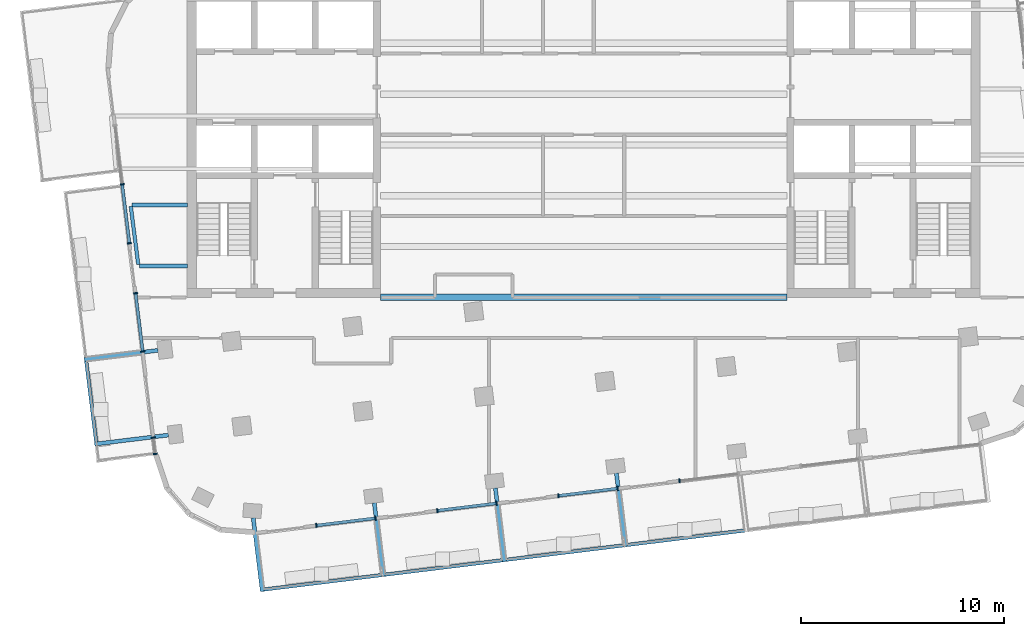
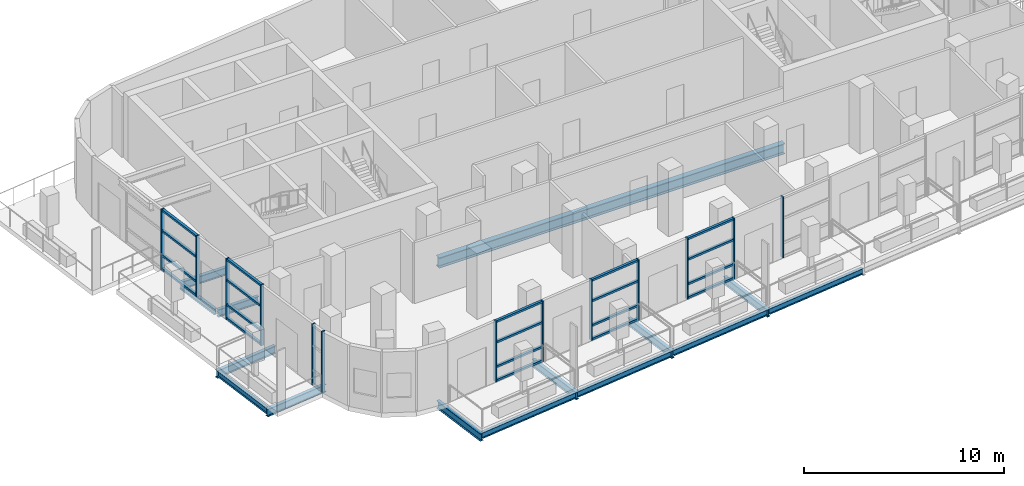
# One storey, part 2 of 14: 33 members, 15 beams, 7 elements without a shape of their own.
"""IFC4 building model written with IfcOpenShell, lengths in metres."""

import ifcopenshell
import ifcopenshell.guid

model = None  # the IFC model being written
_history = None  # IfcOwnerHistory: only IFC2X3 demands one
_inside = {}  # id of a spatial element -> (the spatial element, [elements in it])
_under = {}  # id of a project, library or spatial element -> (it, [spatial elements below it])
_declared = {}  # id of a project -> (the project, [libraries it declares])
_typed = {}  # id of a type object -> (the type object, [elements of that type])
_made_of = {}  # id of a material, layer set ... -> (it, [elements and type objects made of it])


def new_model(schema):
    """Start an empty IFC model of exactly this schema.

    Asked for "IFC4X3", IfcOpenShell would pick the latest addendum, in which some entities
    have other attributes; the version numbers below select the first issue.
    IFC2X3 requires an IfcOwnerHistory on every rooted entity: one is made here for all.
    """
    global model, _history
    if schema == "IFC4X3":
        model = ifcopenshell.file(schema_version=(4, 3, 0, 0))
    else:
        model = ifcopenshell.file(schema=schema)
    _inside.clear()
    _under.clear()
    _declared.clear()
    _typed.clear()
    _made_of.clear()
    _history = None
    if model.schema == "IFC2X3":
        org = make("IfcOrganization", Name="unknown")
        user = make(
            "IfcPersonAndOrganization",
            ThePerson=make("IfcPerson", FamilyName="unknown"),
            TheOrganization=org,
        )
        app = make(
            "IfcApplication",
            ApplicationDeveloper=org,
            Version="unknown",
            ApplicationFullName="unknown",
            ApplicationIdentifier="unknown",
        )
        _history = make(
            "IfcOwnerHistory",
            OwningUser=user,
            OwningApplication=app,
            ChangeAction="ADDED",
            CreationDate=0,
        )
    return model


def make(cls, **values):
    """One entity of the class cls with the attributes given. An attribute that is None is left unset."""
    return model.create_entity(
        cls, **{name: value for name, value in values.items() if value is not None}
    )


def rooted(cls, **values):
    """An entity with a GlobalId (a new one), such as an element, a storey or a relation."""
    return make(cls, GlobalId=ifcopenshell.guid.new(), OwnerHistory=_history, **values)


def si_unit(unit_type, name, prefix=None):
    """IfcSIUnit, for example si_unit("LENGTHUNIT", "METRE", prefix="MILLI")."""
    return make("IfcSIUnit", UnitType=unit_type, Prefix=prefix, Name=name)


def assignment(units):
    """IfcUnitAssignment: the units of a project."""
    return None if units is None else make("IfcUnitAssignment", Units=units)


def point(xyz):
    """IfcCartesianPoint."""
    return None if xyz is None else make("IfcCartesianPoint", Coordinates=xyz)


def direction(xyz):
    """IfcDirection."""
    return None if xyz is None else make("IfcDirection", DirectionRatios=xyz)


def frame(location, z_axis=None, x_axis=None):
    """IfcAxis2Placement3D, a coordinate frame: its origin and axes. An axis left out is left unset."""
    return make(
        "IfcAxis2Placement3D",
        Location=point(location),
        Axis=direction(z_axis),
        RefDirection=direction(x_axis),
    )


def frame_2d(location, x_axis=None):
    """IfcAxis2Placement2D, a coordinate frame in the plane: its origin and x axis."""
    return make(
        "IfcAxis2Placement2D", Location=point(location), RefDirection=direction(x_axis)
    )


def origin():
    """The frame at (0, 0, 0) with its axes left unset."""
    return frame((0.0, 0.0, 0.0))


def origin_2d():
    """The frame at (0, 0) in the plane with its x axis left unset."""
    return frame_2d((0.0, 0.0))


def place(relative_to, where):
    """IfcLocalPlacement: puts the frame where relative to a parent placement (None: the world)."""
    return make(
        "IfcLocalPlacement", PlacementRelTo=relative_to, RelativePlacement=where
    )


def context(
    kind, dimensions, precision=None, world=None, true_north=None, identifier=None
):
    """IfcGeometricRepresentationContext, for example the 3D "Model" context."""
    return make(
        "IfcGeometricRepresentationContext",
        ContextIdentifier=identifier,
        ContextType=kind,
        CoordinateSpaceDimension=dimensions,
        Precision=precision,
        WorldCoordinateSystem=world,
        TrueNorth=true_north,
    )


def subcontext(parent, identifier, kind, view, scale=None):
    """IfcGeometricRepresentationSubContext, for example "Body" below "Model"."""
    return make(
        "IfcGeometricRepresentationSubContext",
        ContextIdentifier=identifier,
        ContextType=kind,
        ParentContext=parent,
        TargetScale=scale,
        TargetView=view,
    )


def project(units=None, contexts=None):
    """IfcProject with its units and contexts."""
    return rooted(
        "IfcProject",
        Name="project",
        RepresentationContexts=contexts,
        UnitsInContext=assignment(units),
    )


def spatial(cls, under=None, at=None, **own):
    """A site, building, storey or space (cls), placed at a placement, below another one or the project."""
    s = rooted(cls, ObjectPlacement=at, **own)
    if under is not None:
        _under.setdefault(under.id(), (under, []))[1].append(s)
    return s


def profile(cls, at=None, kind="AREA", **sizes):
    """A parametric profile (cls). Its sizes go by their IFC names, for example OverallWidth=200.0."""
    return make(cls, ProfileType=kind, Position=at, **sizes)


def rectangle(**sizes):
    """IfcRectangleProfileDef."""
    return profile("IfcRectangleProfileDef", **sizes)


def i_section(**sizes):
    """IfcIShapeProfileDef."""
    return profile("IfcIShapeProfileDef", **sizes)


def extrude(swept, where, along, depth):
    """IfcExtrudedAreaSolid: the profile swept, set in the frame where, extruded along a direction by depth."""
    return make(
        "IfcExtrudedAreaSolid",
        SweptArea=swept,
        Position=where,
        ExtrudedDirection=direction(along),
        Depth=depth,
    )


def shape(context_of_items, identifier, shape_type, items):
    """IfcShapeRepresentation: the items that make up one representation, for example the "Body"."""
    return make(
        "IfcShapeRepresentation",
        ContextOfItems=context_of_items,
        RepresentationIdentifier=identifier,
        RepresentationType=shape_type,
        Items=items,
    )


def material(Name=None, Category=None):
    """IfcMaterial."""
    return make("IfcMaterial", Name=Name, Category=Category)


def layer(
    of_material, thickness, ventilated=None, Name=None, Category=None, Priority=None
):
    """IfcMaterialLayer: one layer of a wall or slab, of a material (None: an air gap)."""
    return make(
        "IfcMaterialLayer",
        Material=of_material,
        LayerThickness=thickness,
        IsVentilated=ventilated,
        Name=Name,
        Category=Category,
        Priority=Priority,
    )


def layer_set(layers, Name=None):
    """IfcMaterialLayerSet."""
    return make("IfcMaterialLayerSet", MaterialLayers=layers, LayerSetName=Name)


def material_profile(
    of_material, cross_section, Name=None, Category=None, Priority=None
):
    """IfcMaterialProfile: a cross section and its material."""
    return make(
        "IfcMaterialProfile",
        Name=Name,
        Material=of_material,
        Profile=cross_section,
        Priority=Priority,
        Category=Category,
    )


def profile_set(profiles, Name=None, composite=None):
    """IfcMaterialProfileSet."""
    return make(
        "IfcMaterialProfileSet",
        Name=Name,
        MaterialProfiles=profiles,
        CompositeProfile=composite,
    )


def made_of(thing, what):
    """Note that an element or type object is made of a material, layer set ...; save() writes the relation."""
    if what is not None:
        _made_of.setdefault(what.id(), (what, []))[1].append(thing)
    return thing


def type_object(cls, material=None, **own):
    """A type object (cls), such as IfcWallType, which elements share."""
    return made_of(rooted(cls, **own), material)


def element(
    cls,
    number,
    at=None,
    inside=None,
    cuts=None,
    type_object=None,
    material=None,
    context=None,
    identifier="Body",
    shape_type=None,
    held_by="IfcProductDefinitionShape",
    body=None,
    shapes=None,
    **own,
):
    """One element of the class cls, such as IfcWall. Its Tag is "e" and its number.

    at: its placement. inside: the storey or other place that contains it. cuts: it is an
    opening in that element (IfcRelVoidsElement). A single representation is given by context,
    identifier, shape_type and body (its items); several are given by shapes. held_by: the class
    of the entity that holds the representations. save() writes the other relations.
    """
    e = rooted(cls, Tag="e%d" % number, ObjectPlacement=at, **own)
    if body is not None:
        shapes = [shape(context, identifier, shape_type, body)]
    if shapes is not None:
        e.Representation = make(held_by, Representations=shapes)
    if inside is not None:
        _inside.setdefault(inside.id(), (inside, []))[1].append(e)
    if cuts is not None:
        rooted(
            "IfcRelVoidsElement", RelatingBuildingElement=cuts, RelatedOpeningElement=e
        )
    if type_object is not None:
        _typed.setdefault(type_object.id(), (type_object, []))[1].append(e)
    return made_of(e, material)


def aggregate(whole, parts):
    """IfcRelAggregates: a whole, such as a stair, and the parts it consists of."""
    return rooted("IfcRelAggregates", RelatingObject=whole, RelatedObjects=parts)


def save(model, path):
    """Write the relations noted so far, then the file.

    IfcRelAggregates (storeys below a building ...), IfcRelContainedInSpatialStructure (elements
    in a storey), IfcRelDefinesByType, IfcRelAssociatesMaterial and IfcRelDeclares: one each for
    every whole, place, type object, material and project.
    """
    for whole, parts in _under.values():
        aggregate(whole, parts)
    for where, things in _inside.values():
        rooted(
            "IfcRelContainedInSpatialStructure",
            RelatedElements=things,
            RelatingStructure=where,
        )
    for kind, things in _typed.values():
        rooted("IfcRelDefinesByType", RelatedObjects=things, RelatingType=kind)
    for what, things in _made_of.values():
        rooted("IfcRelAssociatesMaterial", RelatedObjects=things, RelatingMaterial=what)
    for by, libraries in _declared.values():
        rooted("IfcRelDeclares", RelatingContext=by, RelatedDefinitions=libraries)
    model.write(path)


model = new_model("IFC4")

# Units and contexts
model_context = context("Model", 3, precision=1e-05, world=origin(), true_north=direction((0.0, 1.0)))
body_context = subcontext(model_context, "Body", "Model", "MODEL_VIEW")
ifc_project = project(units=[si_unit("LENGTHUNIT", "METRE"), si_unit("AREAUNIT", "SQUARE_METRE"), si_unit("VOLUMEUNIT", "CUBIC_METRE"), si_unit("PLANEANGLEUNIT", "RADIAN"), si_unit("MASSUNIT", "GRAM", prefix="KILO")], contexts=[model_context])

# Site, building, storey
site_placement = place(None, origin())
site = spatial("IfcSite", under=ifc_project, at=site_placement, CompositionType="ELEMENT")
building_placement = place(site_placement, origin())
building = spatial("IfcBuilding", under=site, at=building_placement, Name="Torana Hotel and Residences", CompositionType="ELEMENT")
storey_placement = place(building_placement, frame((0.0, 0.0, 318.60009765625)))
storey = spatial("IfcBuildingStorey", under=building, at=storey_placement, Name="L84", CompositionType="ELEMENT", Elevation=318.60009765625)

# Beams
ifc_material_1 = material(Name="Steel S355", Category="steel")
ifc_material_profile_1 = material_profile(ifc_material_1, i_section(OverallWidth=0.19287109375, OverallDepth=0.46728515625, WebThickness=0.011474609375, FlangeThickness=0.01953125, FilletRadius=0.01025390625, at=origin_2d()), Name="457x191x98 UB")
ifc_profile_set_1 = profile_set([ifc_material_profile_1], Name="Steel S355")
beam_type_1 = type_object("IfcBeamType", Name="BALCONY CANTILEVER BEAM 457x191x98 UB", PredefinedType="BEAM", material=ifc_profile_set_1)
beam_1_placement = place(storey_placement, frame((-16.251708984375, -25.84130859375, -0.513671875), z_axis=(0.12194557952, -0.992536788051, 0.0), x_axis=(0.992536788051, 0.12194557952, 0.0)))
element("IfcBeam", 1, at=beam_1_placement, inside=storey, type_object=beam_type_1, Name="Balcony cantilever beam", PredefinedType="BEAM", context=body_context, shape_type="SweptSolid", body=[
    extrude(i_section(OverallWidth=0.19287109375, OverallDepth=0.46728515625, WebThickness=0.011474609375, FlangeThickness=0.01953125, FilletRadius=0.01025390625, at=origin_2d()), origin(), (0.0, 0.0, 1.0), 3.65380859375),
])
beam_2_placement = place(storey_placement, frame((-10.296630859375, -25.103515625, -0.513671875), z_axis=(0.121727603609, -0.992563544827, 0.0), x_axis=(0.992563544827, 0.121727603609, 0.0)))
element("IfcBeam", 2, at=beam_2_placement, inside=storey, type_object=beam_type_1, Name="Balcony cantilever beam", PredefinedType="BEAM", context=body_context, shape_type="SweptSolid", body=[
    extrude(i_section(OverallWidth=0.19287109375, OverallDepth=0.46728515625, WebThickness=0.011474609375, FlangeThickness=0.01953125, FilletRadius=0.01025390625, at=origin_2d()), origin(), (0.0, 0.0, 1.0), 3.66015625),
])
beam_3_placement = place(storey_placement, frame((-4.341552734375, -24.37255859375, -0.513671875), z_axis=(0.121809442808, -0.992553504675, 0.0), x_axis=(0.992553504675, 0.121809442808, 0.0)))
element("IfcBeam", 3, at=beam_3_placement, inside=storey, type_object=beam_type_1, Name="Balcony cantilever beam", PredefinedType="BEAM", context=body_context, shape_type="SweptSolid", body=[
    extrude(i_section(OverallWidth=0.19287109375, OverallDepth=0.46728515625, WebThickness=0.011474609375, FlangeThickness=0.01953125, FilletRadius=0.01025390625, at=origin_2d()), origin(), (0.0, 0.0, 1.0), 3.659912109375),
])
beam_4_placement = place(storey_placement, frame((1.61328125, -23.6416015625, -0.513671875), z_axis=(0.121948950891, -0.99253637383, 0.0), x_axis=(0.99253637383, 0.121948950891, 0.0)))
element("IfcBeam", 4, at=beam_4_placement, inside=storey, type_object=beam_type_1, Name="Balcony cantilever beam", PredefinedType="BEAM", context=body_context, shape_type="SweptSolid", body=[
    extrude(i_section(OverallWidth=0.19287109375, OverallDepth=0.46728515625, WebThickness=0.011474609375, FlangeThickness=0.01953125, FilletRadius=0.01025390625, at=origin_2d()), origin(), (0.0, 0.0, 1.0), 3.65966796875),
])
for number, where, z_axis, x_axis, name in (
    (5, (-20.930419921875, -17.603515625, -0.513671875), (-0.992537365838, -0.121940876722, 0.0), (0.121940876722, -0.992537365838, 0.0), "Balcony cantilever beam"),
    (6, (-20.41845703125, -21.7724609375, -0.513671875), (-0.992545437366, -0.121875160566, 0.0), (0.121875160566, -0.992545437366, 0.0), "Balcony cantilever beam"),
):
    element("IfcBeam", number, at=place(storey_placement, frame(where, z_axis=z_axis, x_axis=x_axis)), inside=storey, type_object=beam_type_1, Name=name, PredefinedType="BEAM", context=body_context, shape_type="SweptSolid", body=[
        extrude(i_section(OverallWidth=0.19287109375, OverallDepth=0.46728515625, WebThickness=0.011474609375, FlangeThickness=0.01953125, FilletRadius=0.01025390625, at=origin_2d()), origin(), (0.0, 0.0, 1.0), 3.659912109375),
    ])
beam_5_placement = place(storey_placement, frame((-19.489990234375, -13.449951171875, -0.513671875), z_axis=(-1.0, 0.0, 0.0), x_axis=(0.0, -1.0, 0.0)))
element("IfcBeam", 7, at=beam_5_placement, inside=storey, type_object=beam_type_1, Name="Balcony cantilever beam", PredefinedType="BEAM", context=body_context, shape_type="SweptSolid", body=[
    extrude(i_section(OverallWidth=0.19287109375, OverallDepth=0.46728515625, WebThickness=0.011474609375, FlangeThickness=0.01953125, FilletRadius=0.01025390625, at=origin_2d()), origin(), (0.0, 0.0, 1.0), 2.360107421875),
])
beam_6_placement = place(storey_placement, frame((-19.489990234375, -10.449951171875, -0.513671875), z_axis=(-1.0, 0.0, 0.0), x_axis=(0.0, -1.0, 0.0)))
element("IfcBeam", 8, at=beam_6_placement, inside=storey, type_object=beam_type_1, Name="Balcony cantilever beam", PredefinedType="BEAM", context=body_context, shape_type="SweptSolid", body=[
    extrude(i_section(OverallWidth=0.19287109375, OverallDepth=0.46728515625, WebThickness=0.011474609375, FlangeThickness=0.01953125, FilletRadius=0.01025390625, at=origin_2d()), origin(), (0.0, 0.0, 1.0), 2.728515625),
])
ifc_material_2 = material(Name="Steel S355", Category="steel")
ifc_material_profile_2 = material_profile(ifc_material_2, i_section(OverallWidth=0.173095703125, OverallDepth=0.36328125, WebThickness=0.009033203125, FlangeThickness=0.015625, FilletRadius=0.01025390625, at=origin_2d()), Name="356x171x67 UB")
ifc_profile_set_2 = profile_set([ifc_material_profile_2], Name="Steel S355")
beam_type_2 = type_object("IfcBeamType", Name="BALCONY TIP BEAM 356x171x67 UB", PredefinedType="BEAM", material=ifc_profile_set_2)
for number, where, z_axis, x_axis, name in (
    (9, (-9.927490234375, -28.65869140625, -0.4619140625), (-0.992545044936, -0.121878356459, 0.0), (0.121878356459, -0.992545044936, 0.0), "Balcony tip beam"),
    (10, (-3.97216796875, -27.92724609375, -0.4619140625), (-0.992540010453, -0.121919348955, 0.0), (0.121919348955, -0.992540010453, 0.0), "Balcony tip beam"),
    (11, (1.983154296875, -27.196044921875, -0.4619140625), (-0.992545044936, -0.121878356459, 0.0), (0.121878356459, -0.992545044936, 0.0), "Balcony tip beam"),
    (12, (7.9384765625, -26.46484375, -0.4619140625), (-0.992545044936, -0.121878356459, 0.0), (0.121878356459, -0.992545044936, 0.0), "Balcony tip beam"),
):
    element("IfcBeam", number, at=place(storey_placement, frame(where, z_axis=z_axis, x_axis=x_axis)), inside=storey, type_object=beam_type_2, Name=name, PredefinedType="BEAM", context=body_context, shape_type="SweptSolid", body=[
        extrude(i_section(OverallWidth=0.173095703125, OverallDepth=0.36328125, WebThickness=0.009033203125, FlangeThickness=0.015625, FilletRadius=0.01025390625, at=origin_2d()), origin(), (0.0, 0.0, 1.0), 5.8671875),
    ])
beam_7_placement = place(storey_placement, frame((-23.97314453125, -22.14208984375, -0.4619140625), z_axis=(-0.121906862374, 0.992541544171, 0.0), x_axis=(-0.992541544171, -0.121906862374, 0.0)))
element("IfcBeam", 13, at=beam_7_placement, inside=storey, type_object=beam_type_2, Name="Balcony tip beam", PredefinedType="BEAM", context=body_context, shape_type="SweptSolid", body=[
    extrude(i_section(OverallWidth=0.173095703125, OverallDepth=0.36328125, WebThickness=0.009033203125, FlangeThickness=0.015625, FilletRadius=0.01025390625, at=origin_2d()), origin(), (0.0, 0.0, 1.0), 4.0673828125),
])
beam_8_placement = place(storey_placement, frame((-21.90673828125, -13.383544921875, -0.4619140625), z_axis=(-0.127443407553, 0.991845843804, 0.0), x_axis=(-0.991845843804, -0.127443407553, 0.0)))
element("IfcBeam", 14, at=beam_8_placement, inside=storey, type_object=beam_type_2, Name="Balcony tip beam", PredefinedType="BEAM", context=body_context, shape_type="SweptSolid", body=[
    extrude(i_section(OverallWidth=0.173095703125, OverallDepth=0.36328125, WebThickness=0.009033203125, FlangeThickness=0.015625, FilletRadius=0.01025390625, at=origin_2d()), origin(), (0.0, 0.0, 1.0), 2.890869140625),
])

# Curtain wall, members
ifc_material_3 = material(Name="Dark anodised aluminium", Category="aluminium")
ifc_layer = layer(ifc_material_3, 0.199951171875)
ifc_layer_set = layer_set([ifc_layer], Name="CW3 SKY CLUB UNITISED CURTAIN WALL")
curtain_wall_type = type_object("IfcCurtainWallType", Name="CW3 SKY CLUB UNITISED CURTAIN WALL", PredefinedType="NOTDEFINED", material=ifc_layer_set)
curtain_wall_1_placement = place(storey_placement, origin())
curtain_wall_1 = element("IfcCurtainWall", 15, at=curtain_wall_1_placement, inside=storey, type_object=curtain_wall_type, Name="Curtain wall CW3 L84 e0.9-2", PredefinedType="NOTDEFINED")
ifc_material_4 = material(Name="Dark anodised aluminium", Category="aluminium")
ifc_material_profile_3 = material_profile(ifc_material_4, rectangle(XDim=0.199951171875, YDim=0.070068359375, at=origin_2d()), Name="CW3 MULLION 70x200")
ifc_profile_set_3 = profile_set([ifc_material_profile_3], Name="Dark anodised aluminium")
member_type_1 = type_object("IfcMemberType", Name="CW3 MULLION 70x200", PredefinedType="MULLION", material=ifc_profile_set_3)
member_1_placement = place(storey_placement, frame((-22.69873046875, -9.43701171875, 0.0), z_axis=(0.0, 0.0, 1.0), x_axis=(0.992545392029, 0.121875529794, 0.0)))
member_1 = element("IfcMember", 16, at=member_1_placement, type_object=member_type_1, Name="CW3 mullion 2", PredefinedType="MULLION", context=body_context, shape_type="SweptSolid", body=[
    extrude(rectangle(XDim=0.199951171875, YDim=0.070068359375, at=origin_2d()), origin(), (0.0, 0.0, 1.0), 3.719970703125),
])
member_2_placement = place(storey_placement, frame((-22.34228515625, -12.339111328125, 0.0), z_axis=(0.0, 0.0, 1.0), x_axis=(0.992545392029, 0.121875529794, 0.0)))
member_2 = element("IfcMember", 17, at=member_2_placement, type_object=member_type_1, Name="CW3 mullion 3", PredefinedType="MULLION", context=body_context, shape_type="SweptSolid", body=[
    extrude(rectangle(XDim=0.199951171875, YDim=0.070068359375, at=origin_2d()), origin(), (0.0, 0.0, 1.0), 3.719970703125),
])

curtain_wall_2_placement = place(storey_placement, origin())
curtain_wall_2 = element("IfcCurtainWall", 18, at=curtain_wall_2_placement, inside=storey, type_object=curtain_wall_type, Name="Curtain wall CW3 L84 e0.9-4", PredefinedType="NOTDEFINED")
member_3_placement = place(storey_placement, frame((-22.041259765625, -14.79052734375, 0.0), z_axis=(0.0, 0.0, 1.0), x_axis=(0.992547610171, 0.121857464048, 0.0)))
member_3 = element("IfcMember", 19, at=member_3_placement, type_object=member_type_1, Name="CW3 mullion 1", PredefinedType="MULLION", context=body_context, shape_type="SweptSolid", body=[
    extrude(rectangle(XDim=0.199951171875, YDim=0.070068359375, at=origin_2d()), origin(), (0.0, 0.0, 1.0), 3.719970703125),
])
member_4_placement = place(storey_placement, frame((-21.68896484375, -17.66162109375, 0.0), z_axis=(0.0, 0.0, 1.0), x_axis=(0.992547610171, 0.121857464048, 0.0)))
member_4 = element("IfcMember", 20, at=member_4_placement, type_object=member_type_1, Name="CW3 mullion 2", PredefinedType="MULLION", context=body_context, shape_type="SweptSolid", body=[
    extrude(rectangle(XDim=0.199951171875, YDim=0.070068359375, at=origin_2d()), origin(), (0.0, 0.0, 1.0), 3.719970703125),
])

curtain_wall_3_placement = place(storey_placement, origin())
curtain_wall_3 = element("IfcCurtainWall", 21, at=curtain_wall_3_placement, inside=storey, type_object=curtain_wall_type, Name="Curtain wall CW3 L84 e0.9-6", PredefinedType="NOTDEFINED")
member_5_placement = place(storey_placement, frame((-21.16845703125, -21.899658203125, 0.0), z_axis=(0.0, 0.0, 1.0), x_axis=(0.992544425058, 0.121883404477, 0.0)))
member_5 = element("IfcMember", 22, at=member_5_placement, type_object=member_type_1, Name="CW3 mullion 1", PredefinedType="MULLION", context=body_context, shape_type="SweptSolid", body=[
    extrude(rectangle(XDim=0.199951171875, YDim=0.070068359375, at=origin_2d()), origin(), (0.0, 0.0, 1.0), 3.719970703125),
])
member_6_placement = place(storey_placement, frame((-21.0703125, -22.69921875, 0.0), z_axis=(0.0, 0.0, 1.0), x_axis=(0.992544425058, 0.121883404477, 0.0)))
member_6 = element("IfcMember", 23, at=member_6_placement, type_object=member_type_1, Name="CW3 mullion 2", PredefinedType="MULLION", context=body_context, shape_type="SweptSolid", body=[
    extrude(rectangle(XDim=0.199951171875, YDim=0.070068359375, at=origin_2d()), origin(), (0.0, 0.0, 1.0), 3.719970703125),
])
aggregate(curtain_wall_3, [member_5, member_6])

curtain_wall_4_placement = place(storey_placement, origin())
curtain_wall_4 = element("IfcCurtainWall", 24, at=curtain_wall_4_placement, inside=storey, type_object=curtain_wall_type, Name="Curtain wall CW3 L84 e0.14-2", PredefinedType="NOTDEFINED")
member_7_placement = place(storey_placement, frame((-13.147216796875, -26.21923828125, 0.0), z_axis=(0.0, 0.0, 1.0), x_axis=(-0.121868256929, 0.992546285043, 0.0)))
member_7 = element("IfcMember", 25, at=member_7_placement, type_object=member_type_1, Name="CW3 mullion 1", PredefinedType="MULLION", context=body_context, shape_type="SweptSolid", body=[
    extrude(rectangle(XDim=0.199951171875, YDim=0.070068359375, at=origin_2d()), origin(), (0.0, 0.0, 1.0), 3.719970703125),
])
member_8_placement = place(storey_placement, frame((-10.2392578125, -25.8623046875, 0.0), z_axis=(0.0, 0.0, 1.0), x_axis=(-0.121868256929, 0.992546285043, 0.0)))
member_8 = element("IfcMember", 26, at=member_8_placement, type_object=member_type_1, Name="CW3 mullion 2", PredefinedType="MULLION", context=body_context, shape_type="SweptSolid", body=[
    extrude(rectangle(XDim=0.199951171875, YDim=0.070068359375, at=origin_2d()), origin(), (0.0, 0.0, 1.0), 3.719970703125),
])

curtain_wall_5_placement = place(storey_placement, origin())
curtain_wall_5 = element("IfcCurtainWall", 27, at=curtain_wall_5_placement, inside=storey, type_object=curtain_wall_type, Name="Curtain wall CW3 L84 e0.14-4", PredefinedType="NOTDEFINED")
member_9_placement = place(storey_placement, frame((-7.192138671875, -25.488037109375, 0.0), z_axis=(0.0, 0.0, 1.0), x_axis=(-0.121864225005, 0.992546780088, 0.0)))
member_9 = element("IfcMember", 28, at=member_9_placement, type_object=member_type_1, Name="CW3 mullion 1", PredefinedType="MULLION", context=body_context, shape_type="SweptSolid", body=[
    extrude(rectangle(XDim=0.199951171875, YDim=0.070068359375, at=origin_2d()), origin(), (0.0, 0.0, 1.0), 3.719970703125),
])
member_10_placement = place(storey_placement, frame((-4.283935546875, -25.131103515625, 0.0), z_axis=(0.0, 0.0, 1.0), x_axis=(-0.121864225005, 0.992546780088, 0.0)))
member_10 = element("IfcMember", 29, at=member_10_placement, type_object=member_type_1, Name="CW3 mullion 2", PredefinedType="MULLION", context=body_context, shape_type="SweptSolid", body=[
    extrude(rectangle(XDim=0.199951171875, YDim=0.070068359375, at=origin_2d()), origin(), (0.0, 0.0, 1.0), 3.719970703125),
])

curtain_wall_6_placement = place(storey_placement, origin())
curtain_wall_6 = element("IfcCurtainWall", 30, at=curtain_wall_6_placement, inside=storey, type_object=curtain_wall_type, Name="Curtain wall CW3 L84 e0.14-6", PredefinedType="NOTDEFINED")
member_11_placement = place(storey_placement, frame((-1.23681640625, -24.7568359375, 0.0), z_axis=(0.0, 0.0, 1.0), x_axis=(-0.121864225005, 0.992546780088, 0.0)))
member_11 = element("IfcMember", 31, at=member_11_placement, type_object=member_type_1, Name="CW3 mullion 1", PredefinedType="MULLION", context=body_context, shape_type="SweptSolid", body=[
    extrude(rectangle(XDim=0.199951171875, YDim=0.070068359375, at=origin_2d()), origin(), (0.0, 0.0, 1.0), 3.719970703125),
])
member_12_placement = place(storey_placement, frame((1.67138671875, -24.39990234375, 0.0), z_axis=(0.0, 0.0, 1.0), x_axis=(-0.121864225005, 0.992546780088, 0.0)))
member_12 = element("IfcMember", 32, at=member_12_placement, type_object=member_type_1, Name="CW3 mullion 2", PredefinedType="MULLION", context=body_context, shape_type="SweptSolid", body=[
    extrude(rectangle(XDim=0.199951171875, YDim=0.070068359375, at=origin_2d()), origin(), (0.0, 0.0, 1.0), 3.719970703125),
])

# Curtain wall, member
curtain_wall_7_placement = place(storey_placement, origin())
curtain_wall_7 = element("IfcCurtainWall", 33, at=curtain_wall_7_placement, inside=storey, type_object=curtain_wall_type, Name="Curtain wall CW3 L84 e0.14-8", PredefinedType="NOTDEFINED")
member_13_placement = place(storey_placement, frame((4.718505859375, -24.025634765625, 0.0), z_axis=(0.0, 0.0, 1.0), x_axis=(-0.121868256929, 0.992546285043, 0.0)))
member_13 = element("IfcMember", 34, at=member_13_placement, type_object=member_type_1, Name="CW3 mullion 1", PredefinedType="MULLION", context=body_context, shape_type="SweptSolid", body=[
    extrude(rectangle(XDim=0.199951171875, YDim=0.070068359375, at=origin_2d()), origin(), (0.0, 0.0, 1.0), 3.719970703125),
])
aggregate(curtain_wall_7, [member_13])

# Member
ifc_material_5 = material(Name="Dark anodised aluminium", Category="aluminium")
ifc_material_profile_4 = material_profile(ifc_material_5, rectangle(XDim=0.14990234375, YDim=0.1201171875, at=origin_2d()), Name="CW3 TRANSOM 150x120")
ifc_profile_set_4 = profile_set([ifc_material_profile_4], Name="Dark anodised aluminium")
member_type_2 = type_object("IfcMemberType", Name="CW3 TRANSOM 150x120", PredefinedType="USERDEFINED", material=ifc_profile_set_4)
member_14_placement = place(storey_placement, frame((-22.6943359375, -9.471923828125, 0.059814453125), z_axis=(0.121823286606, -0.99255180562, 0.0), x_axis=(0.99255180562, 0.121823286606, 0.0)))
member_14 = element("IfcMember", 35, at=member_14_placement, type_object=member_type_2, Name="CW3 transom 2.1", ObjectType="TRANSOM", PredefinedType="USERDEFINED", context=body_context, shape_type="SweptSolid", body=[
    extrude(rectangle(XDim=0.14990234375, YDim=0.1201171875, at=origin_2d()), origin(), (0.0, 0.0, 1.0), 2.853759765625),
])

member_15_placement = place(storey_placement, frame((-22.6943359375, -9.471923828125, 0.89990234375), z_axis=(0.121823286606, -0.99255180562, 0.0), x_axis=(0.99255180562, 0.121823286606, 0.0)))
member_15 = element("IfcMember", 36, at=member_15_placement, type_object=member_type_2, Name="CW3 transom 2.2", ObjectType="TRANSOM", PredefinedType="USERDEFINED", context=body_context, shape_type="SweptSolid", body=[
    extrude(rectangle(XDim=0.14990234375, YDim=0.1201171875, at=origin_2d()), origin(), (0.0, 0.0, 1.0), 2.853759765625),
])

member_16_placement = place(storey_placement, frame((-22.6943359375, -9.471923828125, 2.39990234375), z_axis=(0.121823286606, -0.99255180562, 0.0), x_axis=(0.99255180562, 0.121823286606, 0.0)))
member_16 = element("IfcMember", 37, at=member_16_placement, type_object=member_type_2, Name="CW3 transom 2.3", ObjectType="TRANSOM", PredefinedType="USERDEFINED", context=body_context, shape_type="SweptSolid", body=[
    extrude(rectangle(XDim=0.14990234375, YDim=0.1201171875, at=origin_2d()), origin(), (0.0, 0.0, 1.0), 2.853759765625),
])

member_17_placement = place(storey_placement, frame((-22.6943359375, -9.471923828125, 3.659912109375), z_axis=(0.121823286606, -0.99255180562, 0.0), x_axis=(0.99255180562, 0.121823286606, 0.0)))
member_17 = element("IfcMember", 38, at=member_17_placement, type_object=member_type_2, Name="CW3 transom 2.4", ObjectType="TRANSOM", PredefinedType="USERDEFINED", context=body_context, shape_type="SweptSolid", body=[
    extrude(rectangle(XDim=0.14990234375, YDim=0.1201171875, at=origin_2d()), origin(), (0.0, 0.0, 1.0), 2.853759765625),
])

aggregate(curtain_wall_1, [member_1, member_2, member_14, member_15, member_16, member_17])

member_18_placement = place(storey_placement, frame((-22.037109375, -14.825439453125, 0.059814453125), z_axis=(0.12188382621, -0.992544373269, 0.0), x_axis=(0.992544373269, 0.12188382621, 0.0)))
member_18 = element("IfcMember", 39, at=member_18_placement, type_object=member_type_2, Name="CW3 transom 1.1", ObjectType="TRANSOM", PredefinedType="USERDEFINED", context=body_context, shape_type="SweptSolid", body=[
    extrude(rectangle(XDim=0.14990234375, YDim=0.1201171875, at=origin_2d()), origin(), (0.0, 0.0, 1.0), 2.822265625),
])

member_19_placement = place(storey_placement, frame((-22.037109375, -14.825439453125, 0.89990234375), z_axis=(0.12188382621, -0.992544373269, 0.0), x_axis=(0.992544373269, 0.12188382621, 0.0)))
member_19 = element("IfcMember", 40, at=member_19_placement, type_object=member_type_2, Name="CW3 transom 1.2", ObjectType="TRANSOM", PredefinedType="USERDEFINED", context=body_context, shape_type="SweptSolid", body=[
    extrude(rectangle(XDim=0.14990234375, YDim=0.1201171875, at=origin_2d()), origin(), (0.0, 0.0, 1.0), 2.822265625),
])

member_20_placement = place(storey_placement, frame((-22.037109375, -14.825439453125, 2.39990234375), z_axis=(0.12188382621, -0.992544373269, 0.0), x_axis=(0.992544373269, 0.12188382621, 0.0)))
member_20 = element("IfcMember", 41, at=member_20_placement, type_object=member_type_2, Name="CW3 transom 1.3", ObjectType="TRANSOM", PredefinedType="USERDEFINED", context=body_context, shape_type="SweptSolid", body=[
    extrude(rectangle(XDim=0.14990234375, YDim=0.1201171875, at=origin_2d()), origin(), (0.0, 0.0, 1.0), 2.822265625),
])

member_21_placement = place(storey_placement, frame((-22.037109375, -14.825439453125, 3.659912109375), z_axis=(0.12188382621, -0.992544373269, 0.0), x_axis=(0.992544373269, 0.12188382621, 0.0)))
member_21 = element("IfcMember", 42, at=member_21_placement, type_object=member_type_2, Name="CW3 transom 1.4", ObjectType="TRANSOM", PredefinedType="USERDEFINED", context=body_context, shape_type="SweptSolid", body=[
    extrude(rectangle(XDim=0.14990234375, YDim=0.1201171875, at=origin_2d()), origin(), (0.0, 0.0, 1.0), 2.822265625),
])

aggregate(curtain_wall_2, [member_3, member_4, member_18, member_19, member_20, member_21])

member_22_placement = place(storey_placement, frame((-13.112548828125, -26.215087890625, 0.059814453125), z_axis=(0.992542186909, 0.121901629217, 0.0), x_axis=(-0.121901629217, 0.992542186909, 0.0)))
member_22 = element("IfcMember", 43, at=member_22_placement, type_object=member_type_2, Name="CW3 transom 1.1", ObjectType="TRANSOM", PredefinedType="USERDEFINED", context=body_context, shape_type="SweptSolid", body=[
    extrude(rectangle(XDim=0.14990234375, YDim=0.1201171875, at=origin_2d()), origin(), (0.0, 0.0, 1.0), 2.85986328125),
])

member_23_placement = place(storey_placement, frame((-13.112548828125, -26.215087890625, 0.89990234375), z_axis=(0.992542186909, 0.121901629217, 0.0), x_axis=(-0.121901629217, 0.992542186909, 0.0)))
member_23 = element("IfcMember", 44, at=member_23_placement, type_object=member_type_2, Name="CW3 transom 1.2", ObjectType="TRANSOM", PredefinedType="USERDEFINED", context=body_context, shape_type="SweptSolid", body=[
    extrude(rectangle(XDim=0.14990234375, YDim=0.1201171875, at=origin_2d()), origin(), (0.0, 0.0, 1.0), 2.85986328125),
])

member_24_placement = place(storey_placement, frame((-13.112548828125, -26.215087890625, 2.39990234375), z_axis=(0.992542186909, 0.121901629217, 0.0), x_axis=(-0.121901629217, 0.992542186909, 0.0)))
member_24 = element("IfcMember", 45, at=member_24_placement, type_object=member_type_2, Name="CW3 transom 1.3", ObjectType="TRANSOM", PredefinedType="USERDEFINED", context=body_context, shape_type="SweptSolid", body=[
    extrude(rectangle(XDim=0.14990234375, YDim=0.1201171875, at=origin_2d()), origin(), (0.0, 0.0, 1.0), 2.85986328125),
])

member_25_placement = place(storey_placement, frame((-13.112548828125, -26.215087890625, 3.659912109375), z_axis=(0.992542186909, 0.121901629217, 0.0), x_axis=(-0.121901629217, 0.992542186909, 0.0)))
member_25 = element("IfcMember", 46, at=member_25_placement, type_object=member_type_2, Name="CW3 transom 1.4", ObjectType="TRANSOM", PredefinedType="USERDEFINED", context=body_context, shape_type="SweptSolid", body=[
    extrude(rectangle(XDim=0.14990234375, YDim=0.1201171875, at=origin_2d()), origin(), (0.0, 0.0, 1.0), 2.85986328125),
])

aggregate(curtain_wall_4, [member_7, member_8, member_22, member_23, member_24, member_25])

member_26_placement = place(storey_placement, frame((-7.1572265625, -25.48388671875, 0.059814453125), z_axis=(0.992542186909, 0.121901629217, 0.0), x_axis=(-0.121901629217, 0.992542186909, 0.0)))
member_26 = element("IfcMember", 47, at=member_26_placement, type_object=member_type_2, Name="CW3 transom 1.1", ObjectType="TRANSOM", PredefinedType="USERDEFINED", context=body_context, shape_type="SweptSolid", body=[
    extrude(rectangle(XDim=0.14990234375, YDim=0.1201171875, at=origin_2d()), origin(), (0.0, 0.0, 1.0), 2.85986328125),
])

member_27_placement = place(storey_placement, frame((-7.1572265625, -25.48388671875, 0.89990234375), z_axis=(0.992542186909, 0.121901629217, 0.0), x_axis=(-0.121901629217, 0.992542186909, 0.0)))
member_27 = element("IfcMember", 48, at=member_27_placement, type_object=member_type_2, Name="CW3 transom 1.2", ObjectType="TRANSOM", PredefinedType="USERDEFINED", context=body_context, shape_type="SweptSolid", body=[
    extrude(rectangle(XDim=0.14990234375, YDim=0.1201171875, at=origin_2d()), origin(), (0.0, 0.0, 1.0), 2.85986328125),
])

member_28_placement = place(storey_placement, frame((-7.1572265625, -25.48388671875, 2.39990234375), z_axis=(0.992542186909, 0.121901629217, 0.0), x_axis=(-0.121901629217, 0.992542186909, 0.0)))
member_28 = element("IfcMember", 49, at=member_28_placement, type_object=member_type_2, Name="CW3 transom 1.3", ObjectType="TRANSOM", PredefinedType="USERDEFINED", context=body_context, shape_type="SweptSolid", body=[
    extrude(rectangle(XDim=0.14990234375, YDim=0.1201171875, at=origin_2d()), origin(), (0.0, 0.0, 1.0), 2.85986328125),
])

member_29_placement = place(storey_placement, frame((-7.1572265625, -25.48388671875, 3.659912109375), z_axis=(0.992542186909, 0.121901629217, 0.0), x_axis=(-0.121901629217, 0.992542186909, 0.0)))
member_29 = element("IfcMember", 50, at=member_29_placement, type_object=member_type_2, Name="CW3 transom 1.4", ObjectType="TRANSOM", PredefinedType="USERDEFINED", context=body_context, shape_type="SweptSolid", body=[
    extrude(rectangle(XDim=0.14990234375, YDim=0.1201171875, at=origin_2d()), origin(), (0.0, 0.0, 1.0), 2.85986328125),
])

aggregate(curtain_wall_5, [member_9, member_10, member_26, member_27, member_28, member_29])

member_30_placement = place(storey_placement, frame((-1.201904296875, -24.752685546875, 0.059814453125), z_axis=(0.992542186909, 0.121901629217, 0.0), x_axis=(-0.121901629217, 0.992542186909, 0.0)))
member_30 = element("IfcMember", 51, at=member_30_placement, type_object=member_type_2, Name="CW3 transom 1.1", ObjectType="TRANSOM", PredefinedType="USERDEFINED", context=body_context, shape_type="SweptSolid", body=[
    extrude(rectangle(XDim=0.14990234375, YDim=0.1201171875, at=origin_2d()), origin(), (0.0, 0.0, 1.0), 2.85986328125),
])

member_31_placement = place(storey_placement, frame((-1.201904296875, -24.752685546875, 0.89990234375), z_axis=(0.992542186909, 0.121901629217, 0.0), x_axis=(-0.121901629217, 0.992542186909, 0.0)))
member_31 = element("IfcMember", 52, at=member_31_placement, type_object=member_type_2, Name="CW3 transom 1.2", ObjectType="TRANSOM", PredefinedType="USERDEFINED", context=body_context, shape_type="SweptSolid", body=[
    extrude(rectangle(XDim=0.14990234375, YDim=0.1201171875, at=origin_2d()), origin(), (0.0, 0.0, 1.0), 2.85986328125),
])

member_32_placement = place(storey_placement, frame((-1.201904296875, -24.752685546875, 2.39990234375), z_axis=(0.992542186909, 0.121901629217, 0.0), x_axis=(-0.121901629217, 0.992542186909, 0.0)))
member_32 = element("IfcMember", 53, at=member_32_placement, type_object=member_type_2, Name="CW3 transom 1.3", ObjectType="TRANSOM", PredefinedType="USERDEFINED", context=body_context, shape_type="SweptSolid", body=[
    extrude(rectangle(XDim=0.14990234375, YDim=0.1201171875, at=origin_2d()), origin(), (0.0, 0.0, 1.0), 2.85986328125),
])

member_33_placement = place(storey_placement, frame((-1.201904296875, -24.752685546875, 3.659912109375), z_axis=(0.992542186909, 0.121901629217, 0.0), x_axis=(-0.121901629217, 0.992542186909, 0.0)))
member_33 = element("IfcMember", 54, at=member_33_placement, type_object=member_type_2, Name="CW3 transom 1.4", ObjectType="TRANSOM", PredefinedType="USERDEFINED", context=body_context, shape_type="SweptSolid", body=[
    extrude(rectangle(XDim=0.14990234375, YDim=0.1201171875, at=origin_2d()), origin(), (0.0, 0.0, 1.0), 2.85986328125),
])

aggregate(curtain_wall_6, [member_11, member_12, member_30, member_31, member_32, member_33])

# Beam
ifc_material_6 = material(Name="Steel S355", Category="steel")
ifc_material_profile_5 = material_profile(ifc_material_6, i_section(OverallWidth=0.311279296875, OverallDepth=0.6357421875, WebThickness=0.018310546875, FlangeThickness=0.031494140625, FilletRadius=0.0166015625, at=origin_2d()), Name="610x305x238 UB")
ifc_profile_set_5 = profile_set([ifc_material_profile_5], Name="Steel S355")
beam_type_3 = type_object("IfcBeamType", Name="STEEL GIRDER 610x305x238 UB", PredefinedType="BEAM", material=ifc_profile_set_5)
beam_9_placement = place(storey_placement, frame((-10.0, -15.0, -0.597900390625), z_axis=(1.0, 0.0, 0.0), x_axis=(0.0, 1.0, 0.0)))
element("IfcBeam", 55, at=beam_9_placement, inside=storey, type_object=beam_type_3, Name="Floor girder", PredefinedType="BEAM", context=body_context, shape_type="SweptSolid", body=[
    extrude(i_section(OverallWidth=0.311279296875, OverallDepth=0.6357421875, WebThickness=0.018310546875, FlangeThickness=0.031494140625, FilletRadius=0.0166015625, at=origin_2d()), origin(), (0.0, 0.0, 1.0), 20.0),
])

save(model, "model.ifc")
